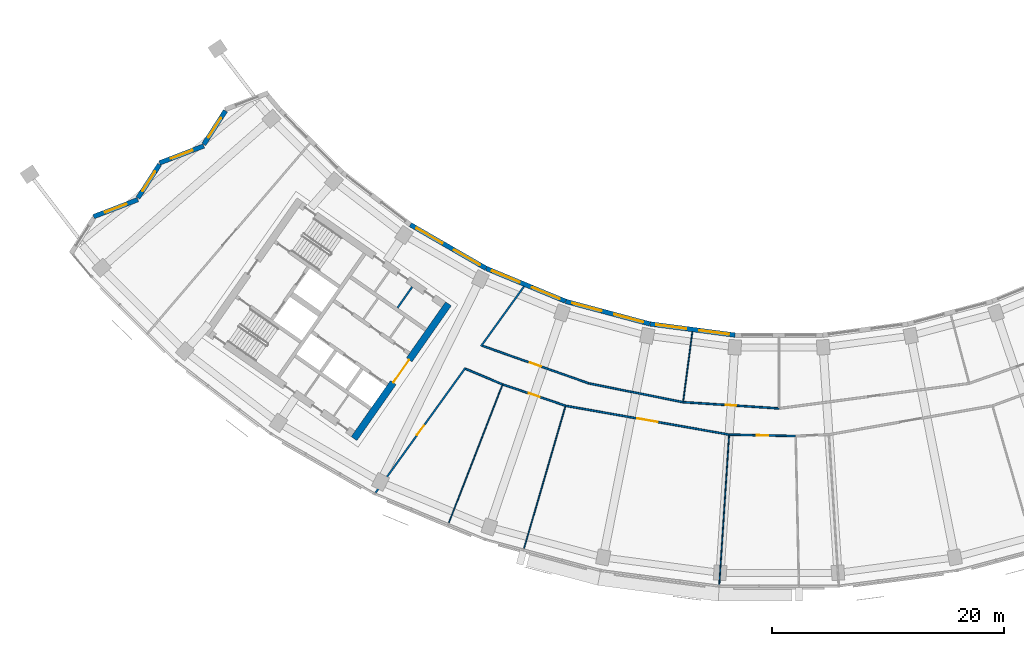
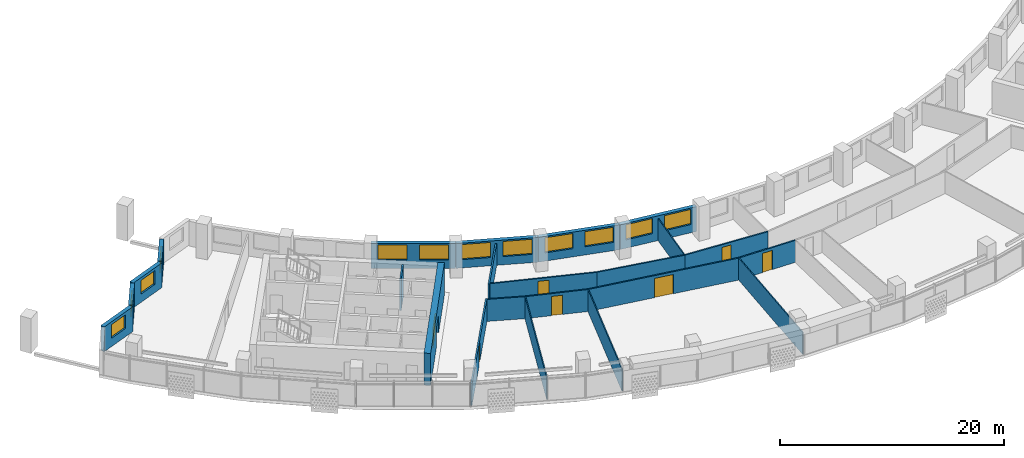
# One storey, part 4 of 27: 23 walls, 12 windows, 7 doors, 19 openings.
"""IFC4 building model written with IfcOpenShell, lengths in metres."""

from ifc_helpers import new_model, si_unit, direction, frame, frame_2d, origin, place, context, subcontext, project, spatial, rectangle, extrude, material, layer, layer_set, type_object, element, fill, save


model = new_model("IFC4")

# Units and contexts
model_context = context("Model", 3, precision=1e-05, world=origin(), true_north=direction((0.0, 1.0)))
body_context = subcontext(model_context, "Body", "Model", "MODEL_VIEW")
ifc_project = project(units=[si_unit("LENGTHUNIT", "METRE"), si_unit("AREAUNIT", "SQUARE_METRE"), si_unit("VOLUMEUNIT", "CUBIC_METRE"), si_unit("PLANEANGLEUNIT", "RADIAN"), si_unit("MASSUNIT", "GRAM", prefix="KILO")], contexts=[model_context])

# Site, building, storey
site_placement = place(None, origin())
site = spatial("IfcSite", under=ifc_project, at=site_placement, CompositionType="ELEMENT")
building_placement = place(site_placement, origin())
building = spatial("IfcBuilding", under=site, at=building_placement, Name="Qamariyya Broadcast Tower", CompositionType="ELEMENT")
storey_placement = place(building_placement, frame((0.0, 0.0, 175.89990234375)))
storey = spatial("IfcBuildingStorey", under=building, at=storey_placement, Name="L41", CompositionType="ELEMENT", Elevation=175.89990234375)

# Wall, opening, door
ifc_material_1 = material(Name="Concrete C60/75", Category="concrete")
ifc_layer_1 = layer(ifc_material_1, 0.60009765625)
ifc_layer_set_1 = layer_set([ifc_layer_1], Name="Core wall 600 mm Concrete C60/75")
wall_type_1 = type_object("IfcWallType", Name="Core wall 600 mm Concrete C60/75", PredefinedType="SHEAR", material=ifc_layer_set_1)
wall_1_placement = place(storey_placement, frame((-36.66748046875, -66.005126953125, 0.0), z_axis=(0.0, 0.0, 1.0), x_axis=(0.573568499524, 0.819157601658, 0.0)))
wall_1 = element("IfcWall", 1, at=wall_1_placement, inside=storey, type_object=wall_type_1, Name="k-W-L41-WA", PredefinedType="SHEAR", context=body_context, shape_type="SweptSolid", body=[
    extrude(rectangle(XDim=14.19970703125, YDim=0.60009765625, at=frame_2d((7.099853515625, 0.0))), origin(), (0.0, 0.0, 1.0), 3.5),
])
opening_1_placement = place(wall_1_placement, frame((5.89990234375, 0.0, 0.0)))
opening_1 = element("IfcOpeningElement", 2, at=opening_1_placement, cuts=wall_1, Name="Opening KD3-W1", PredefinedType="OPENING", context=body_context, shape_type="SweptSolid", body=[
    extrude(rectangle(XDim=2.39990234375, YDim=2.10009765625, at=frame_2d((1.199951171875, 1.050048828125))), frame((0.0, 0.31005859375, 0.0), z_axis=(0.0, -1.0, 0.0), x_axis=(1.0, 0.0, 0.0)), (0.0, 0.0, 1.0), 0.6201171875),
])
ifc_material_2 = material(Name="Steel fire-resisting door leaf", Category="steel")
door_type_1 = type_object("IfcDoorType", Name="Lift lobby door KD3", OperationType="DOUBLE_DOOR_SINGLE_SWING", PredefinedType="DOOR", material=ifc_material_2)
door_1_placement = place(opening_1_placement, origin())
door_1 = element("IfcDoor", 3, at=door_1_placement, inside=storey, type_object=door_type_1, Name="k-W-L41-WA-D1", OperationType="DOUBLE_DOOR_SINGLE_SWING", OverallHeight=2.10009765625, OverallWidth=2.39990234375, PredefinedType="DOOR", context=body_context, shape_type="SweptSolid", body=[
    extrude(rectangle(XDim=2.39990234375, YDim=2.10009765625, at=frame_2d((1.199951171875, 1.050048828125))), frame((0.0, 0.02490234375, 0.0), z_axis=(0.0, -1.0, 0.0), x_axis=(1.0, 0.0, 0.0)), (0.0, 0.0, 1.0), 0.050048828125),
])
fill(opening_1, door_1)

ifc_material_3 = material(Name="Gypsum board partition")
ifc_layer_2 = layer(ifc_material_3, 0.14990234375)
ifc_layer_set_2 = layer_set([ifc_layer_2], Name="Corridor partition 150 EI 60")
wall_type_2 = type_object("IfcWallType", Name="Corridor partition 150 EI 60", PredefinedType="PARTITIONING", material=ifc_layer_set_2)
wall_2_placement = place(storey_placement, frame((-27.056884765625, -59.899169921875, 0.0), z_axis=(0.0, 0.0, 1.0), x_axis=(-0.584166374063, -0.81163393683, 0.0)))
wall_2 = element("IfcWall", 4, at=wall_2_placement, inside=storey, type_object=wall_type_2, Name="Partition L41-003", PredefinedType="PARTITIONING", context=body_context, shape_type="SweptSolid", body=[
    extrude(rectangle(XDim=13.296142578125, YDim=0.14990234375, at=frame_2d((6.64794921875, 0.0))), origin(), (0.0, 0.0, 1.0), 2.400146484375),
])
opening_2_placement = place(wall_2_placement, frame((6.14794921875, 0.0, 0.0)))
opening_2 = element("IfcOpeningElement", 5, at=opening_2_placement, cuts=wall_2, Name="Opening L41-D01", PredefinedType="OPENING", context=body_context, shape_type="SweptSolid", body=[
    extrude(rectangle(XDim=1.0, YDim=2.10009765625, at=frame_2d((0.5, 1.050048828125))), frame((0.0, 0.0849609375, 0.0), z_axis=(0.0, -1.0, 0.0), x_axis=(1.0, 0.0, 0.0)), (0.0, 0.0, 1.0), 0.169921875),
])
ifc_material_4 = material(Name="Timber fire door leaf", Category="wood")
door_type_2 = type_object("IfcDoorType", Name="Fire door 1000 x 2100 FD60", OperationType="NOTDEFINED", PredefinedType="DOOR", material=ifc_material_4)
door_2_placement = place(opening_2_placement, origin())
door_2 = element("IfcDoor", 6, at=door_2_placement, inside=storey, type_object=door_type_2, Name="Door L41-D01", OperationType="SINGLE_SWING_RIGHT", OverallHeight=2.10009765625, OverallWidth=1.0, PredefinedType="DOOR", context=body_context, shape_type="SweptSolid", body=[
    extrude(rectangle(XDim=1.0, YDim=2.10009765625, at=frame_2d((0.5, 1.050048828125))), frame((0.0, 0.02490234375, 0.0), z_axis=(0.0, -1.0, 0.0), x_axis=(1.0, 0.0, 0.0)), (0.0, 0.0, 1.0), 0.050048828125),
])
fill(opening_2, door_2)

# Wall
wall_3_placement = place(storey_placement, frame((-27.031494140625, -59.989013671875, 0.0), z_axis=(0.0, 0.0, 1.0), x_axis=(0.921979582273, -0.38723849224, 0.0)))
element("IfcWall", 7, at=wall_3_placement, inside=storey, type_object=wall_type_2, Name="Partition L41-004", PredefinedType="PARTITIONING", context=body_context, shape_type="SweptSolid", body=[
    extrude(rectangle(XDim=3.454345703125, YDim=0.14990234375, at=frame_2d((1.72705078125, 0.0))), origin(), (0.0, 0.0, 1.0), 2.400146484375),
])

# Wall, opening, door
wall_4_placement = place(storey_placement, frame((-25.598388671875, -57.99609375, 0.0), z_axis=(0.0, 0.0, 1.0), x_axis=(0.942982926679, -0.332841103219, 0.0)))
wall_4 = element("IfcWall", 8, at=wall_4_placement, inside=storey, type_object=wall_type_2, Name="Partition L41-005", PredefinedType="PARTITIONING", context=body_context, shape_type="SweptSolid", body=[
    extrude(rectangle(XDim=9.736572265625, YDim=0.14990234375, at=frame_2d((4.8681640625, 0.0))), origin(), (0.0, 0.0, 1.0), 2.400146484375),
])
opening_3_placement = place(wall_4_placement, frame((4.368408203125, 0.0, 0.0)))
opening_3 = element("IfcOpeningElement", 9, at=opening_3_placement, cuts=wall_4, Name="Opening L41-D08", PredefinedType="OPENING", context=body_context, shape_type="SweptSolid", body=[
    extrude(rectangle(XDim=1.0, YDim=2.10009765625, at=frame_2d((0.5, 1.050048828125))), frame((0.0, 0.0849609375, 0.0), z_axis=(0.0, -1.0, 0.0), x_axis=(1.0, 0.0, 0.0)), (0.0, 0.0, 1.0), 0.169921875),
])
door_3_placement = place(opening_3_placement, origin())
door_3 = element("IfcDoor", 10, at=door_3_placement, inside=storey, type_object=door_type_2, Name="Door L41-D08", OperationType="SINGLE_SWING_RIGHT", OverallHeight=2.10009765625, OverallWidth=1.0, PredefinedType="DOOR", context=body_context, shape_type="SweptSolid", body=[
    extrude(rectangle(XDim=1.0, YDim=2.10009765625, at=frame_2d((0.5, 1.050048828125))), frame((0.0, 0.02490234375, 0.0), z_axis=(0.0, -1.0, 0.0), x_axis=(1.0, 0.0, 0.0)), (0.0, 0.0, 1.0), 0.050048828125),
])
fill(opening_3, door_3)

wall_5_placement = place(storey_placement, frame((-18.41455078125, -63.170654296875, 0.0), z_axis=(0.0, 0.0, 1.0), x_axis=(-0.94692828042, 0.32144491245, 0.0)))
wall_5 = element("IfcWall", 11, at=wall_5_placement, inside=storey, type_object=wall_type_2, Name="Partition L41-006", PredefinedType="PARTITIONING", context=body_context, shape_type="SweptSolid", body=[
    extrude(rectangle(XDim=5.736572265625, YDim=0.14990234375, at=frame_2d((2.8681640625, 0.0))), origin(), (0.0, 0.0, 1.0), 2.400146484375),
])
opening_4_placement = place(wall_5_placement, frame((2.368408203125, 0.0, 0.0)))
opening_4 = element("IfcOpeningElement", 12, at=opening_4_placement, cuts=wall_5, Name="Opening L41-D02", PredefinedType="OPENING", context=body_context, shape_type="SweptSolid", body=[
    extrude(rectangle(XDim=1.0, YDim=2.10009765625, at=frame_2d((0.5, 1.050048828125))), frame((0.0, 0.0849609375, 0.0), z_axis=(0.0, -1.0, 0.0), x_axis=(1.0, 0.0, 0.0)), (0.0, 0.0, 1.0), 0.169921875),
])
door_4_placement = place(opening_4_placement, origin())
door_4 = element("IfcDoor", 13, at=door_4_placement, inside=storey, type_object=door_type_2, Name="Door L41-D02", OperationType="SINGLE_SWING_RIGHT", OverallHeight=2.10009765625, OverallWidth=1.0, PredefinedType="DOOR", context=body_context, shape_type="SweptSolid", body=[
    extrude(rectangle(XDim=1.0, YDim=2.10009765625, at=frame_2d((0.5, 1.050048828125))), frame((0.0, 0.02490234375, 0.0), z_axis=(0.0, -1.0, 0.0), x_axis=(1.0, 0.0, 0.0)), (0.0, 0.0, 1.0), 0.050048828125),
])
fill(opening_4, door_4)

# Wall
wall_6_placement = place(storey_placement, frame((-22.0, -52.873046875, 0.0), z_axis=(0.0, 0.0, 1.0), x_axis=(-0.58417014289, -0.811631224236, 0.0)))
element("IfcWall", 14, at=wall_6_placement, inside=storey, type_object=wall_type_2, Name="Partition L41-008", PredefinedType="PARTITIONING", context=body_context, shape_type="SweptSolid", body=[
    extrude(rectangle(XDim=6.356201171875, YDim=0.14990234375, at=frame_2d((3.17822265625, 0.0))), origin(), (0.0, 0.0, 1.0), 2.400146484375),
])

# Wall, opening, door
wall_7_placement = place(storey_placement, frame((-4.303466796875, -65.6591796875, 0.0), z_axis=(0.0, 0.0, 1.0), x_axis=(-0.984803449575, 0.173672581905, 0.0)))
wall_7 = element("IfcWall", 15, at=wall_7_placement, inside=storey, type_object=wall_type_2, Name="Partition L41-009", PredefinedType="PARTITIONING", context=body_context, shape_type="SweptSolid", body=[
    extrude(rectangle(XDim=14.328857421875, YDim=0.14990234375, at=frame_2d((7.16455078125, 0.0))), origin(), (0.0, 0.0, 1.0), 2.400146484375),
])
opening_5_placement = place(wall_7_placement, frame((6.264404296875, 0.0, 0.0)))
opening_5 = element("IfcOpeningElement", 16, at=opening_5_placement, cuts=wall_7, Name="Opening L41-D03", PredefinedType="OPENING", context=body_context, shape_type="SweptSolid", body=[
    extrude(rectangle(XDim=1.800048828125, YDim=2.10009765625, at=frame_2d((0.89990234375, 1.050048828125))), frame((0.0, 0.0849609375, 0.0), z_axis=(0.0, -1.0, 0.0), x_axis=(1.0, 0.0, 0.0)), (0.0, 0.0, 1.0), 0.169921875),
])
door_type_3 = type_object("IfcDoorType", Name="Double fire door 1800 x 2100 FD60", OperationType="NOTDEFINED", PredefinedType="DOOR", material=ifc_material_4)
door_5_placement = place(opening_5_placement, origin())
door_5 = element("IfcDoor", 17, at=door_5_placement, inside=storey, type_object=door_type_3, Name="Door L41-D03", OperationType="DOUBLE_DOOR_SINGLE_SWING", OverallHeight=2.10009765625, OverallWidth=1.800048828125, PredefinedType="DOOR", context=body_context, shape_type="SweptSolid", body=[
    extrude(rectangle(XDim=1.800048828125, YDim=2.10009765625, at=frame_2d((0.89990234375, 1.050048828125))), frame((0.0, 0.02490234375, 0.0), z_axis=(0.0, -1.0, 0.0), x_axis=(1.0, 0.0, 0.0)), (0.0, 0.0, 1.0), 0.050048828125),
])
fill(opening_5, door_5)

# Wall
wall_8_placement = place(storey_placement, frame((-16.40087890625, -61.2412109375, 0.0), z_axis=(0.0, 0.0, 1.0), x_axis=(0.980780777209, -0.195112959735, 0.0)))
element("IfcWall", 18, at=wall_8_placement, inside=storey, type_object=wall_type_2, Name="Partition L41-010", PredefinedType="PARTITIONING", context=body_context, shape_type="SweptSolid", body=[
    extrude(rectangle(XDim=8.28466796875, YDim=0.14990234375, at=frame_2d((4.142333984375, 0.0))), origin(), (0.0, 0.0, 1.0), 2.400146484375),
])

# Wall, opening, door
wall_9_placement = place(storey_placement, frame((-8.275390625, -62.857666015625, 0.0), z_axis=(0.0, 0.0, 1.0), x_axis=(0.997860193426, -0.065383747038, 0.0)))
wall_9 = element("IfcWall", 19, at=wall_9_placement, inside=storey, type_object=wall_type_2, Name="Partition L41-011", PredefinedType="PARTITIONING", context=body_context, shape_type="SweptSolid", body=[
    extrude(rectangle(XDim=8.293212890625, YDim=0.14990234375, at=frame_2d((4.146484375, 0.0))), origin(), (0.0, 0.0, 1.0), 2.400146484375),
])
opening_6_placement = place(wall_9_placement, frame((3.696533203125, 0.0, 0.0)))
opening_6 = element("IfcOpeningElement", 20, at=opening_6_placement, cuts=wall_9, Name="Opening L41-D09", PredefinedType="OPENING", context=body_context, shape_type="SweptSolid", body=[
    extrude(rectangle(XDim=0.89990234375, YDim=2.10009765625, at=frame_2d((0.449951171875, 1.050048828125))), frame((0.0, 0.0849609375, 0.0), z_axis=(0.0, -1.0, 0.0), x_axis=(1.0, 0.0, 0.0)), (0.0, 0.0, 1.0), 0.169921875),
])
door_type_4 = type_object("IfcDoorType", Name="Fire door 900 x 2100 FD60", OperationType="NOTDEFINED", PredefinedType="DOOR", material=ifc_material_4)
door_6_placement = place(opening_6_placement, origin())
door_6 = element("IfcDoor", 21, at=door_6_placement, inside=storey, type_object=door_type_4, Name="Door L41-D09", OperationType="SINGLE_SWING_RIGHT", OverallHeight=2.10009765625, OverallWidth=0.89990234375, PredefinedType="DOOR", context=body_context, shape_type="SweptSolid", body=[
    extrude(rectangle(XDim=0.89990234375, YDim=2.10009765625, at=frame_2d((0.449951171875, 1.050048828125))), frame((0.0, 0.02490234375, 0.0), z_axis=(0.0, -1.0, 0.0), x_axis=(1.0, 0.0, 0.0)), (0.0, 0.0, 1.0), 0.050048828125),
])
fill(opening_6, door_6)

wall_10_placement = place(storey_placement, frame((1.437255859375, -65.7841796875, 0.0), z_axis=(0.0, 0.0, 1.0), x_axis=(-0.999763025016, 0.021769102186, 0.0)))
wall_10 = element("IfcWall", 22, at=wall_10_placement, inside=storey, type_object=wall_type_2, Name="Partition L41-014", PredefinedType="PARTITIONING", context=body_context, shape_type="SweptSolid", body=[
    extrude(rectangle(XDim=5.7421875, YDim=0.14990234375, at=frame_2d((2.87109375, 0.0))), origin(), (0.0, 0.0, 1.0), 2.400146484375),
])
opening_7_placement = place(wall_10_placement, frame((2.37109375, 0.0, 0.0)))
opening_7 = element("IfcOpeningElement", 23, at=opening_7_placement, cuts=wall_10, Name="Opening L41-D04", PredefinedType="OPENING", context=body_context, shape_type="SweptSolid", body=[
    extrude(rectangle(XDim=1.0, YDim=2.10009765625, at=frame_2d((0.5, 1.050048828125))), frame((0.0, 0.0849609375, 0.0), z_axis=(0.0, -1.0, 0.0), x_axis=(1.0, 0.0, 0.0)), (0.0, 0.0, 1.0), 0.169921875),
])
door_7_placement = place(opening_7_placement, origin())
door_7 = element("IfcDoor", 24, at=door_7_placement, inside=storey, type_object=door_type_2, Name="Door L41-D04", OperationType="SINGLE_SWING_RIGHT", OverallHeight=2.10009765625, OverallWidth=1.0, PredefinedType="DOOR", context=body_context, shape_type="SweptSolid", body=[
    extrude(rectangle(XDim=1.0, YDim=2.10009765625, at=frame_2d((0.5, 1.050048828125))), frame((0.0, 0.02490234375, 0.0), z_axis=(0.0, -1.0, 0.0), x_axis=(1.0, 0.0, 0.0)), (0.0, 0.0, 1.0), 0.050048828125),
])
fill(opening_7, door_7)

# Walls
ifc_material_5 = material(Name="Gypsum board partition on steel studs", Category="steel")
ifc_layer_3 = layer(ifc_material_5, 0.14990234375)
ifc_layer_set_3 = layer_set([ifc_layer_3], Name="Gypsum board partition 150 mm")
wall_type_3 = type_object("IfcWallType", Name="Gypsum board partition 150 mm", PredefinedType="PARTITIONING", material=ifc_layer_set_3)
wall_11_placement = place(storey_placement, frame((-32.9140625, -54.716796875, 0.0), z_axis=(0.0, 0.0, 1.0), x_axis=(0.573581496053, 0.819148501424, 0.0)))
element("IfcWall", 25, at=wall_11_placement, inside=storey, type_object=wall_type_3, Name="k-W-L41-NP310", PredefinedType="PARTITIONING", context=body_context, shape_type="SweptSolid", body=[
    extrude(rectangle(XDim=2.2001953125, YDim=0.14990234375, at=frame_2d((1.10009765625, 0.0))), origin(), (0.0, 0.0, 1.0), 3.5),
])
ifc_layer_4 = layer(ifc_material_3, 0.10009765625)
ifc_layer_set_4 = layer_set([ifc_layer_4], Name="Partition 100")
wall_type_4 = type_object("IfcWallType", Name="Partition 100", PredefinedType="PARTITIONING", material=ifc_layer_set_4)
wall_12_placement = place(storey_placement, frame((-28.503662109375, -73.302978515625, 0.0), z_axis=(0.0, 0.0, 1.0), x_axis=(0.362407525881, 0.932019734332, 0.0)))
element("IfcWall", 26, at=wall_12_placement, inside=storey, type_object=wall_type_4, Name="Partition L41-002", PredefinedType="PARTITIONING", context=body_context, shape_type="SweptSolid", body=[
    extrude(rectangle(XDim=12.774658203125, YDim=0.10009765625, at=frame_2d((6.38720703125, 0.0))), origin(), (0.0, 0.0, 1.0), 2.400146484375),
])
wall_13_placement = place(storey_placement, frame((-22.010498046875, -75.507080078125, 0.0), z_axis=(0.0, 0.0, 1.0), x_axis=(0.279843682865, 0.960045578689, 0.0)))
element("IfcWall", 27, at=wall_13_placement, inside=storey, type_object=wall_type_4, Name="Partition L41-007", PredefinedType="PARTITIONING", context=body_context, shape_type="SweptSolid", body=[
    extrude(rectangle(XDim=12.77490234375, YDim=0.10009765625, at=frame_2d((6.387451171875, 0.0))), origin(), (0.0, 0.0, 1.0), 2.400146484375),
])
wall_14_placement = place(storey_placement, frame((-7.476318359375, -56.787841796875, 0.0), z_axis=(0.0, 0.0, 1.0), x_axis=(-0.130526573864, -0.991444811129, 0.0)))
element("IfcWall", 28, at=wall_14_placement, inside=storey, type_object=wall_type_4, Name="Partition L41-012", PredefinedType="PARTITIONING", context=body_context, shape_type="SweptSolid", body=[
    extrude(rectangle(XDim=6.047119140625, YDim=0.10009765625, at=frame_2d((3.0234375, 0.0))), origin(), (0.0, 0.0, 1.0), 2.400146484375),
])
wall_15_placement = place(storey_placement, frame((-5.15380859375, -78.63134765625, 0.0), z_axis=(0.0, 0.0, 1.0), x_axis=(0.065411967988, 0.997858343877, 0.0)))
element("IfcWall", 29, at=wall_15_placement, inside=storey, type_object=wall_type_4, Name="Partition L41-013", PredefinedType="PARTITIONING", context=body_context, shape_type="SweptSolid", body=[
    extrude(rectangle(XDim=12.925048828125, YDim=0.10009765625, at=frame_2d((6.46240234375, 0.0))), origin(), (0.0, 0.0, 1.0), 2.400146484375),
])

# Wall, opening, window
ifc_material_6 = material(Name="Terracotta", Category="masonry")
ifc_layer_5 = layer(ifc_material_6, 0.39990234375)
ifc_layer_set_5 = layer_set([ifc_layer_5], Name="Terracotta clad wall 400")
wall_type_5 = type_object("IfcWallType", Name="Terracotta clad wall 400", PredefinedType="SOLIDWALL", material=ifc_layer_set_5)
wall_16_placement = place(storey_placement, frame((-47.7685546875, -37.720703125, 0.0), z_axis=(0.0, 0.0, 1.0), x_axis=(-0.541263293939, -0.840853165918, 0.0)))
wall_16 = element("IfcWall", 30, at=wall_16_placement, inside=storey, type_object=wall_type_5, Name="e-wl-L41-capW1", PredefinedType="SOLIDWALL", context=body_context, shape_type="SweptSolid", body=[
    extrude(rectangle(XDim=3.439697265625, YDim=0.39990234375, at=frame_2d((1.7197265625, 0.0))), origin(), (0.0, 0.0, 1.0), 2.7001953125),
])
opening_8_placement = place(wall_16_placement, frame((0.719970703125, 0.0, 0.89990234375)))
opening_8 = element("IfcOpeningElement", 31, at=opening_8_placement, cuts=wall_16, Name="Opening W4", PredefinedType="OPENING", context=body_context, shape_type="SweptSolid", body=[
    extrude(rectangle(XDim=2.0, YDim=1.5, at=frame_2d((1.0, 0.75))), frame((0.0, 0.2099609375, 0.0), z_axis=(0.0, -1.0, 0.0), x_axis=(1.0, 0.0, 0.0)), (0.0, 0.0, 1.0), 0.419921875),
])
ifc_material_7 = material(Name="Clear low-e double glazed unit in aluminium frame", Category="aluminium")
window_type_1 = type_object("IfcWindowType", Name="Horn bay window 2000 x 1500", PartitioningType="SINGLE_PANEL", PredefinedType="WINDOW", material=ifc_material_7)
window_1_placement = place(opening_8_placement, origin())
window_1 = element("IfcWindow", 32, at=window_1_placement, inside=storey, type_object=window_type_1, Name="e-w-L41-capW1", OverallHeight=1.5, OverallWidth=2.0, PartitioningType="SINGLE_PANEL", PredefinedType="WINDOW", context=body_context, shape_type="SweptSolid", body=[
    extrude(rectangle(XDim=2.0, YDim=1.5, at=frame_2d((1.0, 0.75))), frame((0.0, 0.030029296875, 0.0), z_axis=(0.0, -1.0, 0.0), x_axis=(1.0, 0.0, 0.0)), (0.0, 0.0, 1.0), 0.06005859375),
])
fill(opening_8, window_1)

wall_17_placement = place(storey_placement, frame((-49.634521484375, -40.750732421875, 0.0), z_axis=(0.0, 0.0, 1.0), x_axis=(-0.933619312421, -0.358266631818, 0.0)))
wall_17 = element("IfcWall", 33, at=wall_17_placement, inside=storey, type_object=wall_type_5, Name="e-wl-L41-capW2", PredefinedType="SOLIDWALL", context=body_context, shape_type="SweptSolid", body=[
    extrude(rectangle(XDim=4.088134765625, YDim=0.39990234375, at=frame_2d((2.0439453125, 0.0))), origin(), (0.0, 0.0, 1.0), 2.7001953125),
])
opening_9_placement = place(wall_17_placement, frame((1.0439453125, 0.0, 0.89990234375)))
opening_9 = element("IfcOpeningElement", 34, at=opening_9_placement, cuts=wall_17, Name="Opening W4", PredefinedType="OPENING", context=body_context, shape_type="SweptSolid", body=[
    extrude(rectangle(XDim=2.0, YDim=1.5, at=frame_2d((1.0, 0.75))), frame((0.0, 0.2099609375, 0.0), z_axis=(0.0, -1.0, 0.0), x_axis=(1.0, 0.0, 0.0)), (0.0, 0.0, 1.0), 0.419921875),
])
window_2_placement = place(opening_9_placement, origin())
window_2 = element("IfcWindow", 35, at=window_2_placement, inside=storey, type_object=window_type_1, Name="e-w-L41-capW2", OverallHeight=1.5, OverallWidth=2.0, PartitioningType="SINGLE_PANEL", PredefinedType="WINDOW", context=body_context, shape_type="SweptSolid", body=[
    extrude(rectangle(XDim=2.0, YDim=1.5, at=frame_2d((1.0, 0.75))), frame((0.0, 0.030029296875, 0.0), z_axis=(0.0, -1.0, 0.0), x_axis=(1.0, 0.0, 0.0)), (0.0, 0.0, 1.0), 0.06005859375),
])
fill(opening_9, window_2)

wall_18_placement = place(storey_placement, frame((-53.455322265625, -42.352783203125, 0.0), z_axis=(0.0, 0.0, 1.0), x_axis=(-0.541159433823, -0.840920012358, 0.0)))
wall_18 = element("IfcWall", 36, at=wall_18_placement, inside=storey, type_object=wall_type_5, Name="e-wl-L41-capW3", PredefinedType="SOLIDWALL", context=body_context, shape_type="SweptSolid", body=[
    extrude(rectangle(XDim=3.438720703125, YDim=0.39990234375, at=frame_2d((1.71923828125, 0.0))), origin(), (0.0, 0.0, 1.0), 2.7001953125),
])
opening_10_placement = place(wall_18_placement, frame((0.71923828125, 0.0, 0.89990234375)))
opening_10 = element("IfcOpeningElement", 37, at=opening_10_placement, cuts=wall_18, Name="Opening W4", PredefinedType="OPENING", context=body_context, shape_type="SweptSolid", body=[
    extrude(rectangle(XDim=2.0, YDim=1.5, at=frame_2d((1.0, 0.75))), frame((0.0, 0.2099609375, 0.0), z_axis=(0.0, -1.0, 0.0), x_axis=(1.0, 0.0, 0.0)), (0.0, 0.0, 1.0), 0.419921875),
])
window_3_placement = place(opening_10_placement, origin())
window_3 = element("IfcWindow", 38, at=window_3_placement, inside=storey, type_object=window_type_1, Name="e-w-L41-capW3", OverallHeight=1.5, OverallWidth=2.0, PartitioningType="SINGLE_PANEL", PredefinedType="WINDOW", context=body_context, shape_type="SweptSolid", body=[
    extrude(rectangle(XDim=2.0, YDim=1.5, at=frame_2d((1.0, 0.75))), frame((0.0, 0.030029296875, 0.0), z_axis=(0.0, -1.0, 0.0), x_axis=(1.0, 0.0, 0.0)), (0.0, 0.0, 1.0), 0.06005859375),
])
fill(opening_10, window_3)

wall_19_placement = place(storey_placement, frame((-55.3203125, -45.382080078125, 0.0), z_axis=(0.0, 0.0, 1.0), x_axis=(-0.933582385163, -0.358362847004, 0.0)))
wall_19 = element("IfcWall", 39, at=wall_19_placement, inside=storey, type_object=wall_type_5, Name="e-wl-L41-capW4", PredefinedType="SOLIDWALL", context=body_context, shape_type="SweptSolid", body=[
    extrude(rectangle(XDim=4.0888671875, YDim=0.39990234375, at=frame_2d((2.04443359375, 0.0))), origin(), (0.0, 0.0, 1.0), 2.7001953125),
])
opening_11_placement = place(wall_19_placement, frame((1.04443359375, 0.0, 0.89990234375)))
opening_11 = element("IfcOpeningElement", 40, at=opening_11_placement, cuts=wall_19, Name="Opening W4", PredefinedType="OPENING", context=body_context, shape_type="SweptSolid", body=[
    extrude(rectangle(XDim=2.0, YDim=1.5, at=frame_2d((1.0, 0.75))), frame((0.0, 0.2099609375, 0.0), z_axis=(0.0, -1.0, 0.0), x_axis=(1.0, 0.0, 0.0)), (0.0, 0.0, 1.0), 0.419921875),
])
window_4_placement = place(opening_11_placement, origin())
window_4 = element("IfcWindow", 41, at=window_4_placement, inside=storey, type_object=window_type_1, Name="e-w-L41-capW4", OverallHeight=1.5, OverallWidth=2.0, PartitioningType="SINGLE_PANEL", PredefinedType="WINDOW", context=body_context, shape_type="SweptSolid", body=[
    extrude(rectangle(XDim=2.0, YDim=1.5, at=frame_2d((1.0, 0.75))), frame((0.0, 0.030029296875, 0.0), z_axis=(0.0, -1.0, 0.0), x_axis=(1.0, 0.0, 0.0)), (0.0, 0.0, 1.0), 0.06005859375),
])
fill(opening_11, window_4)

# Wall, openings, windows
wall_20_placement = place(storey_placement, frame((-25.27734375, -51.31396484375, 0.0), z_axis=(0.0, 0.0, 1.0), x_axis=(-0.866028517328, 0.499994607145, 0.0)))
wall_20 = element("IfcWall", 42, at=wall_20_placement, inside=storey, type_object=wall_type_5, Name="e-wl-L41-in30", PredefinedType="SOLIDWALL", context=body_context, shape_type="SweptSolid", body=[
    extrude(rectangle(XDim=7.5322265625, YDim=0.39990234375, at=frame_2d((3.76611328125, 0.0))), origin(), (0.0, 0.0, 1.0), 2.7001953125),
])
opening_12_placement = place(wall_20_placement, frame((4.330078125, 0.0, 0.89990234375)))
opening_12 = element("IfcOpeningElement", 43, at=opening_12_placement, cuts=wall_20, Name="Opening W1", PredefinedType="OPENING", context=body_context, shape_type="SweptSolid", body=[
    extrude(rectangle(XDim=2.60009765625, YDim=1.64990234375, at=frame_2d((1.300048828125, 0.824951171875))), frame((0.0, 0.2099609375, 0.0), z_axis=(0.0, -1.0, 0.0), x_axis=(1.0, 0.0, 0.0)), (0.0, 0.0, 1.0), 0.419921875),
])
opening_13_placement = place(wall_20_placement, frame((0.60205078125, 0.0, 0.89990234375)))
opening_13 = element("IfcOpeningElement", 44, at=opening_13_placement, cuts=wall_20, Name="Opening W1", PredefinedType="OPENING", context=body_context, shape_type="SweptSolid", body=[
    extrude(rectangle(XDim=2.60009765625, YDim=1.64990234375, at=frame_2d((1.300048828125, 0.824951171875))), frame((0.0, 0.2099609375, 0.0), z_axis=(0.0, -1.0, 0.0), x_axis=(1.0, 0.0, 0.0)), (0.0, 0.0, 1.0), 0.419921875),
])
window_type_2 = type_object("IfcWindowType", Name="Ribbon window 2600 x 1650", PartitioningType="SINGLE_PANEL", PredefinedType="WINDOW", material=ifc_material_7)
window_5_placement = place(opening_12_placement, origin())
window_5 = element("IfcWindow", 45, at=window_5_placement, inside=storey, type_object=window_type_2, Name="e-w-L41-in03-0", OverallHeight=1.64990234375, OverallWidth=2.60009765625, PartitioningType="SINGLE_PANEL", PredefinedType="WINDOW", context=body_context, shape_type="SweptSolid", body=[
    extrude(rectangle(XDim=2.60009765625, YDim=1.64990234375, at=frame_2d((1.300048828125, 0.824951171875))), frame((0.0, 0.030029296875, 0.0), z_axis=(0.0, -1.0, 0.0), x_axis=(1.0, 0.0, 0.0)), (0.0, 0.0, 1.0), 0.06005859375),
])
fill(opening_12, window_5)
window_6_placement = place(opening_13_placement, origin())
window_6 = element("IfcWindow", 46, at=window_6_placement, inside=storey, type_object=window_type_2, Name="e-w-L41-in03-1", OverallHeight=1.64990234375, OverallWidth=2.60009765625, PartitioningType="SINGLE_PANEL", PredefinedType="WINDOW", context=body_context, shape_type="SweptSolid", body=[
    extrude(rectangle(XDim=2.60009765625, YDim=1.64990234375, at=frame_2d((1.300048828125, 0.824951171875))), frame((0.0, 0.030029296875, 0.0), z_axis=(0.0, -1.0, 0.0), x_axis=(1.0, 0.0, 0.0)), (0.0, 0.0, 1.0), 0.06005859375),
])
fill(opening_13, window_6)

wall_21_placement = place(storey_placement, frame((-18.433349609375, -54.1455078125, 0.0), z_axis=(0.0, 0.0, 1.0), x_axis=(-0.923867659443, 0.382712095229, 0.0)))
wall_21 = element("IfcWall", 47, at=wall_21_placement, inside=storey, type_object=wall_type_5, Name="e-wl-L41-in40", PredefinedType="SOLIDWALL", context=body_context, shape_type="SweptSolid", body=[
    extrude(rectangle(XDim=7.380859375, YDim=0.39990234375, at=frame_2d((3.6904296875, 0.0))), origin(), (0.0, 0.0, 1.0), 2.7001953125),
])
opening_14_placement = place(wall_21_placement, frame((4.25439453125, 0.0, 0.89990234375)))
opening_14 = element("IfcOpeningElement", 48, at=opening_14_placement, cuts=wall_21, Name="Opening W1", PredefinedType="OPENING", context=body_context, shape_type="SweptSolid", body=[
    extrude(rectangle(XDim=2.60009765625, YDim=1.64990234375, at=frame_2d((1.300048828125, 0.824951171875))), frame((0.0, 0.2099609375, 0.0), z_axis=(0.0, -1.0, 0.0), x_axis=(1.0, 0.0, 0.0)), (0.0, 0.0, 1.0), 0.419921875),
])
opening_15_placement = place(wall_21_placement, frame((0.5263671875, 0.0, 0.89990234375)))
opening_15 = element("IfcOpeningElement", 49, at=opening_15_placement, cuts=wall_21, Name="Opening W1", PredefinedType="OPENING", context=body_context, shape_type="SweptSolid", body=[
    extrude(rectangle(XDim=2.60009765625, YDim=1.64990234375, at=frame_2d((1.300048828125, 0.824951171875))), frame((0.0, 0.2099609375, 0.0), z_axis=(0.0, -1.0, 0.0), x_axis=(1.0, 0.0, 0.0)), (0.0, 0.0, 1.0), 0.419921875),
])
window_7_placement = place(opening_14_placement, origin())
window_7 = element("IfcWindow", 50, at=window_7_placement, inside=storey, type_object=window_type_2, Name="e-w-L41-in04-0", OverallHeight=1.64990234375, OverallWidth=2.60009765625, PartitioningType="SINGLE_PANEL", PredefinedType="WINDOW", context=body_context, shape_type="SweptSolid", body=[
    extrude(rectangle(XDim=2.60009765625, YDim=1.64990234375, at=frame_2d((1.300048828125, 0.824951171875))), frame((0.0, 0.030029296875, 0.0), z_axis=(0.0, -1.0, 0.0), x_axis=(1.0, 0.0, 0.0)), (0.0, 0.0, 1.0), 0.06005859375),
])
fill(opening_14, window_7)
window_8_placement = place(opening_15_placement, origin())
window_8 = element("IfcWindow", 51, at=window_8_placement, inside=storey, type_object=window_type_2, Name="e-w-L41-in04-1", OverallHeight=1.64990234375, OverallWidth=2.60009765625, PartitioningType="SINGLE_PANEL", PredefinedType="WINDOW", context=body_context, shape_type="SweptSolid", body=[
    extrude(rectangle(XDim=2.60009765625, YDim=1.64990234375, at=frame_2d((1.300048828125, 0.824951171875))), frame((0.0, 0.030029296875, 0.0), z_axis=(0.0, -1.0, 0.0), x_axis=(1.0, 0.0, 0.0)), (0.0, 0.0, 1.0), 0.06005859375),
])
fill(opening_15, window_8)

wall_22_placement = place(storey_placement, frame((-11.135009765625, -56.10791015625, 0.0), z_axis=(0.0, 0.0, 1.0), x_axis=(-0.965927073219, 0.258814391452, 0.0)))
wall_22 = element("IfcWall", 52, at=wall_22_placement, inside=storey, type_object=wall_type_5, Name="e-wl-L41-in50", PredefinedType="SOLIDWALL", context=body_context, shape_type="SweptSolid", body=[
    extrude(rectangle(XDim=7.5322265625, YDim=0.39990234375, at=frame_2d((3.76611328125, 0.0))), origin(), (0.0, 0.0, 1.0), 2.7001953125),
])
opening_16_placement = place(wall_22_placement, frame((4.330078125, 0.0, 0.89990234375)))
opening_16 = element("IfcOpeningElement", 53, at=opening_16_placement, cuts=wall_22, Name="Opening W1", PredefinedType="OPENING", context=body_context, shape_type="SweptSolid", body=[
    extrude(rectangle(XDim=2.60009765625, YDim=1.64990234375, at=frame_2d((1.300048828125, 0.824951171875))), frame((0.0, 0.2099609375, 0.0), z_axis=(0.0, -1.0, 0.0), x_axis=(1.0, 0.0, 0.0)), (0.0, 0.0, 1.0), 0.419921875),
])
opening_17_placement = place(wall_22_placement, frame((0.60205078125, 0.0, 0.89990234375)))
opening_17 = element("IfcOpeningElement", 54, at=opening_17_placement, cuts=wall_22, Name="Opening W1", PredefinedType="OPENING", context=body_context, shape_type="SweptSolid", body=[
    extrude(rectangle(XDim=2.60009765625, YDim=1.64990234375, at=frame_2d((1.300048828125, 0.824951171875))), frame((0.0, 0.2099609375, 0.0), z_axis=(0.0, -1.0, 0.0), x_axis=(1.0, 0.0, 0.0)), (0.0, 0.0, 1.0), 0.419921875),
])
window_9_placement = place(opening_16_placement, origin())
window_9 = element("IfcWindow", 55, at=window_9_placement, inside=storey, type_object=window_type_2, Name="e-w-L41-in05-0", OverallHeight=1.64990234375, OverallWidth=2.60009765625, PartitioningType="SINGLE_PANEL", PredefinedType="WINDOW", context=body_context, shape_type="SweptSolid", body=[
    extrude(rectangle(XDim=2.60009765625, YDim=1.64990234375, at=frame_2d((1.300048828125, 0.824951171875))), frame((0.0, 0.030029296875, 0.0), z_axis=(0.0, -1.0, 0.0), x_axis=(1.0, 0.0, 0.0)), (0.0, 0.0, 1.0), 0.06005859375),
])
fill(opening_16, window_9)
window_10_placement = place(opening_17_placement, origin())
window_10 = element("IfcWindow", 56, at=window_10_placement, inside=storey, type_object=window_type_2, Name="e-w-L41-in05-1", OverallHeight=1.64990234375, OverallWidth=2.60009765625, PartitioningType="SINGLE_PANEL", PredefinedType="WINDOW", context=body_context, shape_type="SweptSolid", body=[
    extrude(rectangle(XDim=2.60009765625, YDim=1.64990234375, at=frame_2d((1.300048828125, 0.824951171875))), frame((0.0, 0.030029296875, 0.0), z_axis=(0.0, -1.0, 0.0), x_axis=(1.0, 0.0, 0.0)), (0.0, 0.0, 1.0), 0.06005859375),
])
fill(opening_17, window_10)

wall_23_placement = place(storey_placement, frame((-3.79150390625, -57.0712890625, 0.0), z_axis=(0.0, 0.0, 1.0), x_axis=(-0.99144438474, 0.130529812564, 0.0)))
wall_23 = element("IfcWall", 57, at=wall_23_placement, inside=storey, type_object=wall_type_5, Name="e-wl-L41-in60", PredefinedType="SOLIDWALL", context=body_context, shape_type="SweptSolid", body=[
    extrude(rectangle(XDim=7.380615234375, YDim=0.39990234375, at=frame_2d((3.6904296875, 0.0))), origin(), (0.0, 0.0, 1.0), 2.7001953125),
])
opening_18_placement = place(wall_23_placement, frame((4.25439453125, 0.0, 0.89990234375)))
opening_18 = element("IfcOpeningElement", 58, at=opening_18_placement, cuts=wall_23, Name="Opening W1", PredefinedType="OPENING", context=body_context, shape_type="SweptSolid", body=[
    extrude(rectangle(XDim=2.60009765625, YDim=1.64990234375, at=frame_2d((1.300048828125, 0.824951171875))), frame((0.0, 0.2099609375, 0.0), z_axis=(0.0, -1.0, 0.0), x_axis=(1.0, 0.0, 0.0)), (0.0, 0.0, 1.0), 0.419921875),
])
opening_19_placement = place(wall_23_placement, frame((0.5263671875, 0.0, 0.89990234375)))
opening_19 = element("IfcOpeningElement", 59, at=opening_19_placement, cuts=wall_23, Name="Opening W1", PredefinedType="OPENING", context=body_context, shape_type="SweptSolid", body=[
    extrude(rectangle(XDim=2.60009765625, YDim=1.64990234375, at=frame_2d((1.300048828125, 0.824951171875))), frame((0.0, 0.2099609375, 0.0), z_axis=(0.0, -1.0, 0.0), x_axis=(1.0, 0.0, 0.0)), (0.0, 0.0, 1.0), 0.419921875),
])
window_11_placement = place(opening_18_placement, origin())
window_11 = element("IfcWindow", 60, at=window_11_placement, inside=storey, type_object=window_type_2, Name="e-w-L41-in06-0", OverallHeight=1.64990234375, OverallWidth=2.60009765625, PartitioningType="SINGLE_PANEL", PredefinedType="WINDOW", context=body_context, shape_type="SweptSolid", body=[
    extrude(rectangle(XDim=2.60009765625, YDim=1.64990234375, at=frame_2d((1.300048828125, 0.824951171875))), frame((0.0, 0.030029296875, 0.0), z_axis=(0.0, -1.0, 0.0), x_axis=(1.0, 0.0, 0.0)), (0.0, 0.0, 1.0), 0.06005859375),
])
fill(opening_18, window_11)
window_12_placement = place(opening_19_placement, origin())
window_12 = element("IfcWindow", 61, at=window_12_placement, inside=storey, type_object=window_type_2, Name="e-w-L41-in06-1", OverallHeight=1.64990234375, OverallWidth=2.60009765625, PartitioningType="SINGLE_PANEL", PredefinedType="WINDOW", context=body_context, shape_type="SweptSolid", body=[
    extrude(rectangle(XDim=2.60009765625, YDim=1.64990234375, at=frame_2d((1.300048828125, 0.824951171875))), frame((0.0, 0.030029296875, 0.0), z_axis=(0.0, -1.0, 0.0), x_axis=(1.0, 0.0, 0.0)), (0.0, 0.0, 1.0), 0.06005859375),
])
fill(opening_19, window_12)

save(model, "model.ifc")
